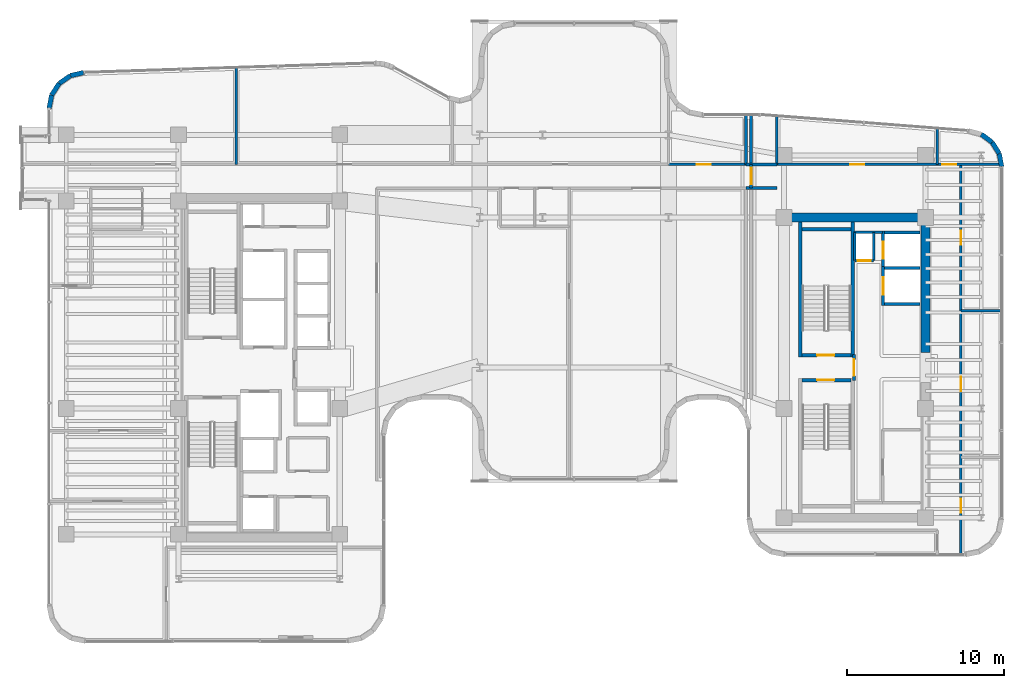
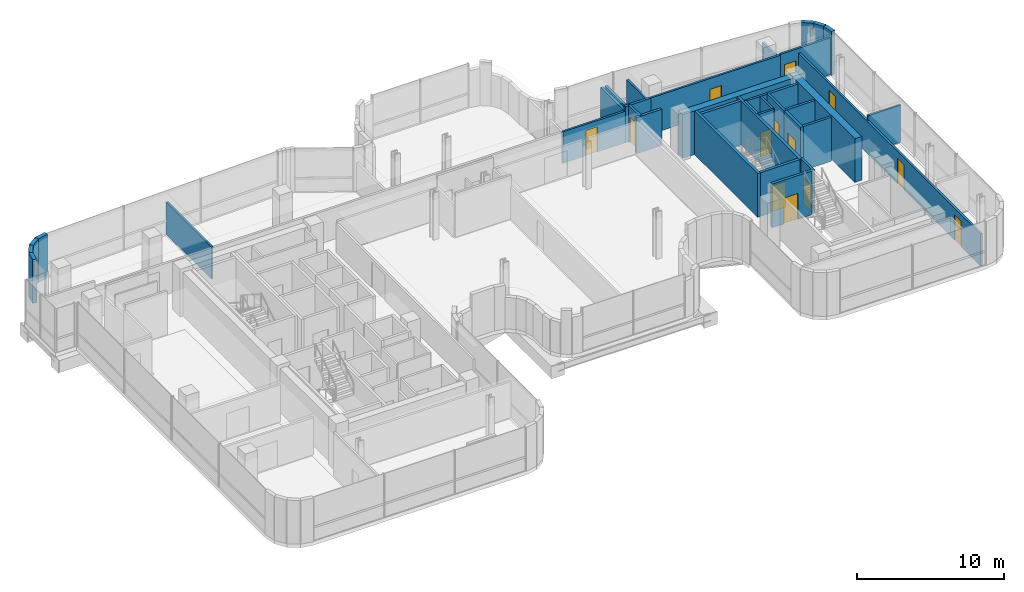
# One storey, part 30 of 37: 37 walls, 13 doors, 13 openings.
"""IFC4 building model written with IfcOpenShell, lengths in metres."""

from ifc_helpers import new_model, si_unit, direction, frame, frame_2d, origin, place, context, subcontext, project, spatial, rectangle, extrude, material, layer, layer_set, type_object, element, fill, save


model = new_model("IFC4")

# Units and contexts
model_context = context("Model", 3, precision=1e-05, world=origin(), true_north=direction((0.0, 1.0)))
body_context = subcontext(model_context, "Body", "Model", "MODEL_VIEW")
ifc_project = project(units=[si_unit("LENGTHUNIT", "METRE"), si_unit("AREAUNIT", "SQUARE_METRE"), si_unit("VOLUMEUNIT", "CUBIC_METRE"), si_unit("PLANEANGLEUNIT", "RADIAN"), si_unit("MASSUNIT", "GRAM", prefix="KILO")], contexts=[model_context])

# Site, building, storey
site_placement = place(None, origin())
site = spatial("IfcSite", under=ifc_project, at=site_placement, CompositionType="ELEMENT")
building_placement = place(site_placement, origin())
building = spatial("IfcBuilding", under=site, at=building_placement, Name="Valdorenza Pilgrim Sanctuary Tower", CompositionType="ELEMENT")
storey_placement = place(building_placement, frame((0.0, 0.0, 188.39990234375)))
storey = spatial("IfcBuildingStorey", under=building, at=storey_placement, Name="L48", CompositionType="ELEMENT", Elevation=188.39990234375)

# Wall, opening, door
ifc_material_1 = material(Name="Acoustic twin-stud gypsum partition", Category="gypsum")
ifc_layer_1 = layer(ifc_material_1, 0.159912109375, Name="Acoustic twin-stud gypsum partition")
ifc_layer_set_1 = layer_set([ifc_layer_1], Name="Acoustic twin-stud gypsum partition")
wall_type_1 = type_object("IfcWallType", Name="WAL-COR-160", PredefinedType="PARTITIONING", material=ifc_layer_set_1)
wall_1_placement = place(storey_placement, frame((20.35009765625, 6.800048828125, 0.0), z_axis=(0.0, 0.0, 1.0), x_axis=(1.0, 0.0, 0.0)))
wall_1 = element("IfcWall", 1, at=wall_1_placement, inside=storey, type_object=wall_type_1, Name="L48 Core B Riser South Wall", PredefinedType="PARTITIONING", context=body_context, shape_type="SweptSolid", body=[
    extrude(rectangle(XDim=1.199951171875, YDim=0.159912109375, at=frame_2d((0.60009765625, 0.0))), origin(), (0.0, 0.0, 1.0), 3.630126953125),
])
opening_1_placement = place(wall_1_placement, frame((0.175048828125, 0.0, 0.0)))
opening_1 = element("IfcOpeningElement", 2, at=opening_1_placement, cuts=wall_1, Name="Opening DR-RS1", PredefinedType="OPENING", context=body_context, shape_type="SweptSolid", body=[
    extrude(rectangle(XDim=0.85009765625, YDim=2.050048828125, at=frame_2d((0.425048828125, 1.02490234375))), frame((0.0, 0.0947265625, 0.0), z_axis=(0.0, -1.0, 0.0), x_axis=(1.0, 0.0, 0.0)), (0.0, 0.0, 1.0), 0.189697265625),
])
ifc_material_2 = material(Name="Painted galvanized steel", Category="steel")
door_type_1 = type_object("IfcDoorType", Name="DR-RSR-850", OperationType="NOTDEFINED", PredefinedType="DOOR", material=ifc_material_2)
door_1_placement = place(opening_1_placement, origin())
door_1 = element("IfcDoor", 3, at=door_1_placement, inside=storey, type_object=door_type_1, Name="L48 Core B Electrical Riser Door", OperationType="SINGLE_SWING_RIGHT", OverallHeight=2.050048828125, OverallWidth=0.85009765625, PredefinedType="DOOR", context=body_context, shape_type="SweptSolid", body=[
    extrude(rectangle(XDim=0.85009765625, YDim=2.050048828125, at=frame_2d((0.425048828125, 1.02490234375))), frame((0.0, 0.02490234375, 0.0), z_axis=(0.0, -1.0, 0.0), x_axis=(1.0, 0.0, 0.0)), (0.0, 0.0, 1.0), 0.050048828125),
])
fill(opening_1, door_1)

# Walls
for number, where, z_axis, x_axis, name in (
    (4, (21.550048828125, 6.800048828125, 0.0), (0.0, 0.0, 1.0), (0.0, 1.0, 0.0), "L48 Core B Riser East Wall"),
    (5, (20.35009765625, 6.800048828125, 0.0), (0.0, 0.0, 1.0), (0.0, 1.0, 0.0), "L48 Core B Riser West Wall"),
):
    element("IfcWall", number, at=place(storey_placement, frame(where, z_axis=z_axis, x_axis=x_axis)), inside=storey, type_object=wall_type_1, Name=name, PredefinedType="PARTITIONING", context=body_context, shape_type="SweptSolid", body=[
        extrude(rectangle(XDim=1.800048828125, YDim=0.159912109375, at=frame_2d((0.89990234375, 0.0))), origin(), (0.0, 0.0, 1.0), 3.630126953125),
    ])
wall_2_placement = place(storey_placement, frame((20.300048828125, 8.60009765625, 0.0), z_axis=(0.0, 0.0, 1.0), x_axis=(1.0, 0.0, 0.0)))
element("IfcWall", 6, at=wall_2_placement, inside=storey, type_object=wall_type_1, Name="L48 Core B Lift Hall North End Wall", PredefinedType="PARTITIONING", context=body_context, shape_type="SweptSolid", body=[
    extrude(rectangle(XDim=1.820068359375, YDim=0.159912109375, at=frame_2d((0.91015625, 0.0))), origin(), (0.0, 0.0, 1.0), 3.630126953125),
])

# Wall, opening, door
wall_3_placement = place(storey_placement, frame((8.5, 12.919921875, 0.0), z_axis=(0.0, 0.0, 1.0), x_axis=(1.0, 0.0, 0.0)))
wall_3 = element("IfcWall", 7, at=wall_3_placement, inside=storey, type_object=wall_type_1, Name="L48 North-East Prayer Salon Corridor Wall", PredefinedType="PARTITIONING", context=body_context, shape_type="SweptSolid", body=[
    extrude(rectangle(XDim=4.919921875, YDim=0.159912109375, at=frame_2d((2.4599609375, 0.0))), origin(), (0.0, 0.0, 1.0), 2.614990234375),
])
opening_2_placement = place(wall_3_placement, frame((1.800048828125, 0.0, 0.0)))
opening_2 = element("IfcOpeningElement", 8, at=opening_2_placement, cuts=wall_3, Name="Opening DR-RM1", PredefinedType="OPENING", context=body_context, shape_type="SweptSolid", body=[
    extrude(rectangle(XDim=0.89990234375, YDim=2.10009765625, at=frame_2d((0.449951171875, 1.050048828125))), frame((0.0, 0.0947265625, 0.0), z_axis=(0.0, -1.0, 0.0), x_axis=(1.0, 0.0, 0.0)), (0.0, 0.0, 1.0), 0.189697265625),
])
ifc_material_3 = material(Name="Solid-core European oak timber", Category="wood")
door_type_2 = type_object("IfcDoorType", Name="DR-ROOM-900", OperationType="NOTDEFINED", PredefinedType="DOOR", material=ifc_material_3)
door_2_placement = place(opening_2_placement, origin())
door_2 = element("IfcDoor", 9, at=door_2_placement, inside=storey, type_object=door_type_2, Name="L48 North-East Contemplation Salon Door", OperationType="SINGLE_SWING_RIGHT", OverallHeight=2.10009765625, OverallWidth=0.89990234375, PredefinedType="DOOR", context=body_context, shape_type="SweptSolid", body=[
    extrude(rectangle(XDim=0.89990234375, YDim=2.10009765625, at=frame_2d((0.449951171875, 1.050048828125))), frame((0.0, 0.02490234375, 0.0), z_axis=(0.0, -1.0, 0.0), x_axis=(1.0, 0.0, 0.0)), (0.0, 0.0, 1.0), 0.050048828125),
])
fill(opening_2, door_2)

wall_4_placement = place(storey_placement, frame((15.39990234375, 12.919921875, 0.0), z_axis=(0.0, 0.0, 1.0), x_axis=(1.0, 0.0, 0.0)))
wall_4 = element("IfcWall", 10, at=wall_4_placement, inside=storey, type_object=wall_type_1, Name="L48 Wing B North Corridor Wall", PredefinedType="PARTITIONING", context=body_context, shape_type="SweptSolid", body=[
    extrude(rectangle(XDim=10.2001953125, YDim=0.159912109375, at=frame_2d((5.10009765625, 0.0))), origin(), (0.0, 0.0, 1.0), 3.004150390625),
])
opening_3_placement = place(wall_4_placement, frame((4.64990234375, 0.0, 0.0)))
opening_3 = element("IfcOpeningElement", 11, at=opening_3_placement, cuts=wall_4, Name="Opening DR-RM1", PredefinedType="OPENING", context=body_context, shape_type="SweptSolid", body=[
    extrude(rectangle(XDim=0.89990234375, YDim=2.10009765625, at=frame_2d((0.449951171875, 1.050048828125))), frame((0.0, 0.0947265625, 0.0), z_axis=(0.0, -1.0, 0.0), x_axis=(1.0, 0.0, 0.0)), (0.0, 0.0, 1.0), 0.189697265625),
])
door_3_placement = place(opening_3_placement, frame((0.89990234375, 0.0, 0.0), z_axis=(0.0, 0.0, 1.0), x_axis=(-1.0, 0.0, 0.0)))
door_3 = element("IfcDoor", 12, at=door_3_placement, inside=storey, type_object=door_type_2, Name="L48 Curator Research Office L48-BN1 Door", OperationType="SINGLE_SWING_LEFT", OverallHeight=2.10009765625, OverallWidth=0.89990234375, PredefinedType="DOOR", context=body_context, shape_type="SweptSolid", body=[
    extrude(rectangle(XDim=0.89990234375, YDim=2.10009765625, at=frame_2d((0.449951171875, 1.050048828125))), frame((0.0, 0.02490234375, 0.0), z_axis=(0.0, -1.0, 0.0), x_axis=(1.0, 0.0, 0.0)), (0.0, 0.0, 1.0), 0.050048828125),
])
fill(opening_3, door_3)

# Walls
wall_5_placement = place(storey_placement, frame((15.39990234375, 12.919921875, 0.0), z_axis=(0.0, 0.0, 1.0), x_axis=(0.0, 1.0, 0.0)))
element("IfcWall", 13, at=wall_5_placement, inside=storey, type_object=wall_type_1, Name="L48 Wing B North West Wall", PredefinedType="PARTITIONING", context=body_context, shape_type="SweptSolid", body=[
    extrude(rectangle(XDim=3.08447265625, YDim=0.159912109375, at=frame_2d((1.542236328125, 0.0))), origin(), (0.0, 0.0, 1.0), 2.6650390625),
])
wall_6_placement = place(storey_placement, frame((25.60009765625, 12.919921875, 0.0), z_axis=(0.0, 0.0, 1.0), x_axis=(0.0, 1.0, 0.0)))
element("IfcWall", 14, at=wall_6_placement, inside=storey, type_object=wall_type_1, Name="L48 Wing B North East Wall", PredefinedType="PARTITIONING", context=body_context, shape_type="SweptSolid", body=[
    extrude(rectangle(XDim=2.294921875, YDim=0.159912109375, at=frame_2d((1.1474609375, 0.0))), origin(), (0.0, 0.0, 1.0), 2.6650390625),
])

# Wall, openings, doors
wall_7_placement = place(storey_placement, frame((27.10009765625, -11.889892578125, 0.0), z_axis=(0.0, 0.0, 1.0), x_axis=(0.0, 1.0, 0.0)))
wall_7 = element("IfcWall", 15, at=wall_7_placement, inside=storey, type_object=wall_type_1, Name="L48 Wing B East Corridor Wall", PredefinedType="PARTITIONING", context=body_context, shape_type="SweptSolid", body=[
    extrude(rectangle(XDim=24.809814453125, YDim=0.159912109375, at=frame_2d((12.40478515625, 0.0))), origin(), (0.0, 0.0, 1.0), 2.6650390625),
])
opening_4_placement = place(wall_7_placement, frame((2.64794921875, 0.0, 0.0)))
opening_4 = element("IfcOpeningElement", 16, at=opening_4_placement, cuts=wall_7, Name="Opening DR-RM1", PredefinedType="OPENING", context=body_context, shape_type="SweptSolid", body=[
    extrude(rectangle(XDim=0.89990234375, YDim=2.10009765625, at=frame_2d((0.449951171875, 1.050048828125))), frame((0.0, 0.0947265625, 0.0), z_axis=(0.0, -1.0, 0.0), x_axis=(1.0, 0.0, 0.0)), (0.0, 0.0, 1.0), 0.189697265625),
])
opening_5_placement = place(wall_7_placement, frame((10.39990234375, 0.0, 0.0)))
opening_5 = element("IfcOpeningElement", 17, at=opening_5_placement, cuts=wall_7, Name="Opening DR-RM1", PredefinedType="OPENING", context=body_context, shape_type="SweptSolid", body=[
    extrude(rectangle(XDim=0.89990234375, YDim=2.10009765625, at=frame_2d((0.449951171875, 1.050048828125))), frame((0.0, 0.0947265625, 0.0), z_axis=(0.0, -1.0, 0.0), x_axis=(1.0, 0.0, 0.0)), (0.0, 0.0, 1.0), 0.189697265625),
])
opening_6_placement = place(wall_7_placement, frame((19.70703125, 0.0, 0.0)))
opening_6 = element("IfcOpeningElement", 18, at=opening_6_placement, cuts=wall_7, Name="Opening DR-RM1", PredefinedType="OPENING", context=body_context, shape_type="SweptSolid", body=[
    extrude(rectangle(XDim=0.89990234375, YDim=2.10009765625, at=frame_2d((0.449951171875, 1.050048828125))), frame((0.0, 0.0947265625, 0.0), z_axis=(0.0, -1.0, 0.0), x_axis=(1.0, 0.0, 0.0)), (0.0, 0.0, 1.0), 0.189697265625),
])
door_4_placement = place(opening_4_placement, origin())
door_4 = element("IfcDoor", 19, at=door_4_placement, inside=storey, type_object=door_type_2, Name="L48 Private Banquet Dining Room L48-EB1 Door", OperationType="SINGLE_SWING_RIGHT", OverallHeight=2.10009765625, OverallWidth=0.89990234375, PredefinedType="DOOR", context=body_context, shape_type="SweptSolid", body=[
    extrude(rectangle(XDim=0.89990234375, YDim=2.10009765625, at=frame_2d((0.449951171875, 1.050048828125))), frame((0.0, 0.02490234375, 0.0), z_axis=(0.0, -1.0, 0.0), x_axis=(1.0, 0.0, 0.0)), (0.0, 0.0, 1.0), 0.050048828125),
])
fill(opening_4, door_4)
door_5_placement = place(opening_5_placement, frame((0.89990234375, 0.0, 0.0), z_axis=(0.0, 0.0, 1.0), x_axis=(-1.0, 0.0, 0.0)))
door_5 = element("IfcDoor", 20, at=door_5_placement, inside=storey, type_object=door_type_2, Name="L48 Private Banquet Dining Room L48-EB2 Door", OperationType="SINGLE_SWING_LEFT", OverallHeight=2.10009765625, OverallWidth=0.89990234375, PredefinedType="DOOR", context=body_context, shape_type="SweptSolid", body=[
    extrude(rectangle(XDim=0.89990234375, YDim=2.10009765625, at=frame_2d((0.449951171875, 1.050048828125))), frame((0.0, 0.02490234375, 0.0), z_axis=(0.0, -1.0, 0.0), x_axis=(1.0, 0.0, 0.0)), (0.0, 0.0, 1.0), 0.050048828125),
])
fill(opening_5, door_5)
door_6_placement = place(opening_6_placement, origin())
door_6 = element("IfcDoor", 21, at=door_6_placement, inside=storey, type_object=door_type_2, Name="L48 Private Banquet Dining Room L48-EB3 Door", OperationType="SINGLE_SWING_RIGHT", OverallHeight=2.10009765625, OverallWidth=0.89990234375, PredefinedType="DOOR", context=body_context, shape_type="SweptSolid", body=[
    extrude(rectangle(XDim=0.89990234375, YDim=2.10009765625, at=frame_2d((0.449951171875, 1.050048828125))), frame((0.0, 0.02490234375, 0.0), z_axis=(0.0, -1.0, 0.0), x_axis=(1.0, 0.0, 0.0)), (0.0, 0.0, 1.0), 0.050048828125),
])
fill(opening_6, door_6)

# Wall, opening, door
wall_8_placement = place(storey_placement, frame((25.60009765625, 12.919921875, 0.0), z_axis=(0.0, 0.0, 1.0), x_axis=(1.0, 0.0, 0.0)))
wall_8 = element("IfcWall", 22, at=wall_8_placement, inside=storey, type_object=wall_type_1, Name="L48 East Wing NE Corner South Wall", PredefinedType="PARTITIONING", context=body_context, shape_type="SweptSolid", body=[
    extrude(rectangle(XDim=3.93408203125, YDim=0.159912109375, at=frame_2d((1.967041015625, 0.0))), origin(), (0.0, 0.0, 1.0), 3.076171875),
])
opening_7_placement = place(wall_8_placement, frame((0.300048828125, 0.0, 0.0)))
opening_7 = element("IfcOpeningElement", 23, at=opening_7_placement, cuts=wall_8, Name="Opening DR-RM1", PredefinedType="OPENING", context=body_context, shape_type="SweptSolid", body=[
    extrude(rectangle(XDim=0.89990234375, YDim=2.10009765625, at=frame_2d((0.449951171875, 1.050048828125))), frame((0.0, 0.0947265625, 0.0), z_axis=(0.0, -1.0, 0.0), x_axis=(1.0, 0.0, 0.0)), (0.0, 0.0, 1.0), 0.189697265625),
])
door_7_placement = place(opening_7_placement, origin())
door_7 = element("IfcDoor", 24, at=door_7_placement, inside=storey, type_object=door_type_2, Name="L48 East North Alcove Office L48 Door", OperationType="SINGLE_SWING_LEFT", OverallHeight=2.10009765625, OverallWidth=0.89990234375, PredefinedType="DOOR", context=body_context, shape_type="SweptSolid", body=[
    extrude(rectangle(XDim=0.89990234375, YDim=2.10009765625, at=frame_2d((0.449951171875, 1.050048828125))), frame((0.0, 0.02490234375, 0.0), z_axis=(0.0, -1.0, 0.0), x_axis=(1.0, 0.0, 0.0)), (0.0, 0.0, 1.0), 0.050048828125),
])
fill(opening_7, door_7)

# Walls
ifc_material_4 = material(Name="Concrete C50/60", Category="concrete")
ifc_layer_2 = layer(ifc_material_4, 0.550048828125, Name="Concrete C50/60")
ifc_layer_set_2 = layer_set([ifc_layer_2], Name="Concrete C50/60")
wall_type_2 = type_object("IfcWallType", Name="WAL-COR-550", PredefinedType="SHEAR", material=ifc_layer_set_2)
wall_9_placement = place(storey_placement, frame((24.85009765625, 0.949951171875, 0.0), z_axis=(0.0, 0.0, 1.0), x_axis=(0.0, 1.0, 0.0)))
element("IfcWall", 25, at=wall_9_placement, inside=storey, type_object=wall_type_2, Name="L48 Split Core B Shear Wall EN", PredefinedType="SHEAR", context=body_context, shape_type="SweptSolid", body=[
    extrude(rectangle(XDim=8.875, YDim=0.550048828125, at=frame_2d((4.4375, 0.0))), origin(), (0.0, 0.0, 1.0), 3.630126953125),
])
wall_10_placement = place(storey_placement, frame((15.85009765625, 9.550048828125, 0.0), z_axis=(0.0, 0.0, 1.0), x_axis=(1.0, 0.0, 0.0)))
element("IfcWall", 26, at=wall_10_placement, inside=storey, type_object=wall_type_2, Name="L48 Split Core B Shear Wall N", PredefinedType="SHEAR", context=body_context, shape_type="SweptSolid", body=[
    extrude(rectangle(XDim=9.0, YDim=0.550048828125, at=frame_2d((4.5, 0.0))), origin(), (0.0, 0.0, 1.0), 3.630126953125),
])
ifc_material_5 = material(Name="Honed travertine limestone", Category="masonry")
ifc_layer_3 = layer(ifc_material_5, 0.300048828125, Name="Honed travertine limestone")
ifc_layer_set_3 = layer_set([ifc_layer_3], Name="Honed travertine limestone")
wall_type_3 = type_object("IfcWallType", Name="WAL-EXT-300", PredefinedType="SOLIDWALL", material=ifc_layer_set_3)
wall_11_placement = place(storey_placement, frame((-30.889892578125, 16.46630859375, 0.0), z_axis=(0.0, 0.0, 1.0), x_axis=(0.191128020887, 0.981565117367, 0.0)))
element("IfcWall", 27, at=wall_11_placement, inside=storey, type_object=wall_type_3, Name="L48 Rounded Wind-Corner Stone Pier 2", PredefinedType="SOLIDWALL", context=body_context, shape_type="SweptSolid", body=[
    extrude(rectangle(XDim=0.88525390625, YDim=0.300048828125, at=frame_2d((0.442626953125, 0.0))), origin(), (0.0, 0.0, 1.0), 3.630126953125),
])
wall_12_placement = place(storey_placement, frame((-30.720703125, 17.335205078125, 0.0), z_axis=(0.0, 0.0, 1.0), x_axis=(0.545322000684, 0.838226649284, 0.0)))
element("IfcWall", 28, at=wall_12_placement, inside=storey, type_object=wall_type_3, Name="L48 Rounded Wind-Corner Stone Pier 3", PredefinedType="SOLIDWALL", context=body_context, shape_type="SweptSolid", body=[
    extrude(rectangle(XDim=0.874267578125, YDim=0.300048828125, at=frame_2d((0.43701171875, 0.0))), origin(), (0.0, 0.0, 1.0), 3.630126953125),
])
wall_13_placement = place(storey_placement, frame((-30.243896484375, 18.068115234375, 0.0), z_axis=(0.0, 0.0, 1.0), x_axis=(0.820005059444, 0.572356272339, 0.0)))
element("IfcWall", 29, at=wall_13_placement, inside=storey, type_object=wall_type_3, Name="L48 Rounded Wind-Corner Stone Pier 4", PredefinedType="SOLIDWALL", context=body_context, shape_type="SweptSolid", body=[
    extrude(rectangle(XDim=0.87451171875, YDim=0.300048828125, at=frame_2d((0.437255859375, 0.0))), origin(), (0.0, 0.0, 1.0), 3.630126953125),
])
wall_14_placement = place(storey_placement, frame((-29.52685546875, 18.568603515625, 0.0), z_axis=(0.0, 0.0, 1.0), x_axis=(0.974798570829, 0.223086858218, 0.0)))
element("IfcWall", 30, at=wall_14_placement, inside=storey, type_object=wall_type_3, Name="L48 Rounded Wind-Corner Stone Pier 5", PredefinedType="SOLIDWALL", context=body_context, shape_type="SweptSolid", body=[
    extrude(rectangle(XDim=0.88525390625, YDim=0.300048828125, at=frame_2d((0.442626953125, 0.0))), origin(), (0.0, 0.0, 1.0), 3.630126953125),
])
wall_15_placement = place(storey_placement, frame((28.396484375, 14.838134765625, 0.0), z_axis=(0.0, 0.0, 1.0), x_axis=(0.803847397988, -0.594835574548, 0.0)))
element("IfcWall", 31, at=wall_15_placement, inside=storey, type_object=wall_type_3, Name="L48 Rounded Wind-Corner Stone Pier 34", PredefinedType="SOLIDWALL", context=body_context, shape_type="SweptSolid", body=[
    extrude(rectangle(XDim=0.84912109375, YDim=0.300048828125, at=frame_2d((0.424560546875, 0.0))), origin(), (0.0, 0.0, 1.0), 3.630126953125),
])
wall_16_placement = place(storey_placement, frame((29.0791015625, 14.3330078125, 0.0), z_axis=(0.0, 0.0, 1.0), x_axis=(0.53134147342, -0.847157741288, 0.0)))
element("IfcWall", 32, at=wall_16_placement, inside=storey, type_object=wall_type_3, Name="L48 Rounded Wind-Corner Stone Pier 35", PredefinedType="SOLIDWALL", context=body_context, shape_type="SweptSolid", body=[
    extrude(rectangle(XDim=0.849609375, YDim=0.300048828125, at=frame_2d((0.4248046875, 0.0))), origin(), (0.0, 0.0, 1.0), 3.630126953125),
])
wall_17_placement = place(storey_placement, frame((29.530517578125, 13.61328125, 0.0), z_axis=(0.0, 0.0, 1.0), x_axis=(0.185402686284, -0.982662629756, 0.0)))
element("IfcWall", 33, at=wall_17_placement, inside=storey, type_object=wall_type_3, Name="L48 Rounded Wind-Corner Stone Pier 36", PredefinedType="SOLIDWALL", context=body_context, shape_type="SweptSolid", body=[
    extrude(rectangle(XDim=0.85986328125, YDim=0.300048828125, at=frame_2d((0.429931640625, 0.0))), origin(), (0.0, 0.0, 1.0), 3.630126953125),
])

# Wall, opening, door
ifc_material_6 = material(Name="Gypsum shaftwall partition", Category="gypsum")
ifc_layer_4 = layer(ifc_material_6, 0.199951171875, Name="Gypsum shaftwall partition")
ifc_layer_set_4 = layer_set([ifc_layer_4], Name="Gypsum shaftwall partition")
wall_type_4 = type_object("IfcWallType", Name="WAL-FFL-200", PredefinedType="PARTITIONING", material=ifc_layer_set_4)
wall_18_placement = place(storey_placement, frame((20.300048828125, -0.820068359375, 0.0), z_axis=(0.0, 0.0, 1.0), x_axis=(0.0, 1.0, 0.0)))
wall_18 = element("IfcWall", 34, at=wall_18_placement, inside=storey, type_object=wall_type_4, Name="L48 Core B Firefighting Lobby East Wall", PredefinedType="PARTITIONING", context=body_context, shape_type="SweptSolid", body=[
    extrude(rectangle(XDim=1.64013671875, YDim=0.199951171875, at=frame_2d((0.820068359375, 0.0))), origin(), (0.0, 0.0, 1.0), 3.630126953125),
])
opening_8_placement = place(wall_18_placement, frame((0.294921875, 0.0, 0.0)))
opening_8 = element("IfcOpeningElement", 35, at=opening_8_placement, cuts=wall_18, Name="Opening DR-FL1", PredefinedType="OPENING", context=body_context, shape_type="SweptSolid", body=[
    extrude(rectangle(XDim=1.050048828125, YDim=2.14990234375, at=frame_2d((0.52490234375, 1.074951171875))), frame((0.0, 0.11474609375, 0.0), z_axis=(0.0, -1.0, 0.0), x_axis=(1.0, 0.0, 0.0)), (0.0, 0.0, 1.0), 0.229736328125),
])
door_type_3 = type_object("IfcDoorType", Name="DR-FFL-1050", OperationType="NOTDEFINED", PredefinedType="DOOR", material=ifc_material_2)
door_8_placement = place(opening_8_placement, frame((1.050048828125, 0.0, 0.0), z_axis=(0.0, 0.0, 1.0), x_axis=(-1.0, 0.0, 0.0)))
door_8 = element("IfcDoor", 36, at=door_8_placement, inside=storey, type_object=door_type_3, Name="L48 Core B Firefighting Lobby Door", OperationType="SINGLE_SWING_LEFT", OverallHeight=2.14990234375, OverallWidth=1.050048828125, PredefinedType="DOOR", context=body_context, shape_type="SweptSolid", body=[
    extrude(rectangle(XDim=1.050048828125, YDim=2.14990234375, at=frame_2d((0.52490234375, 1.074951171875))), frame((0.0, 0.02490234375, 0.0), z_axis=(0.0, -1.0, 0.0), x_axis=(1.0, 0.0, 0.0)), (0.0, 0.0, 1.0), 0.050048828125),
])
fill(opening_8, door_8)

# Walls
for number, where, z_axis, x_axis, name in (
    (37, (13.419921875, 12.919921875, 0.0), (0.0, 0.0, 1.0), (0.0, 1.0, 0.0), "L48 North-East Joint West Wall"),
    (38, (13.760009765625, 12.919921875, 0.0), (0.0, 0.0, 1.0), (0.0, 1.0, 0.0), "L48 North-East Joint East Wall"),
):
    element("IfcWall", number, at=place(storey_placement, frame(where, z_axis=z_axis, x_axis=x_axis)), inside=storey, type_object=wall_type_4, Name=name, PredefinedType="PARTITIONING", context=body_context, shape_type="SweptSolid", body=[
        extrude(rectangle(XDim=3.170166015625, YDim=0.199951171875, at=frame_2d((1.5849609375, 0.0))), origin(), (0.0, 0.0, 1.0), 2.6650390625),
    ])
for number, where, z_axis, x_axis, name in (
    (39, (13.419921875, 12.919921875, 0.0), (0.0, 0.0, 1.0), (1.0, 0.0, 0.0), "L48 L48 Bridge Joint Corridor North Wall"),
    (40, (13.419921875, 11.419921875, 0.0), (0.0, 0.0, 1.0), (1.0, 0.0, 0.0), "L48 L48 Bridge Joint Corridor South Wall"),
):
    element("IfcWall", number, at=place(storey_placement, frame(where, z_axis=z_axis, x_axis=x_axis)), inside=storey, type_object=wall_type_4, Name=name, PredefinedType="PARTITIONING", context=body_context, shape_type="SweptSolid", body=[
        extrude(rectangle(XDim=1.97998046875, YDim=0.199951171875, at=frame_2d((0.989990234375, 0.0))), origin(), (0.0, 0.0, 1.0), 3.004150390625),
    ])

# Wall, opening, door
wall_19_placement = place(storey_placement, frame((13.760009765625, 11.419921875, 0.0), z_axis=(0.0, 0.0, 1.0), x_axis=(0.0, 1.0, 0.0)))
wall_19 = element("IfcWall", 41, at=wall_19_placement, inside=storey, type_object=wall_type_4, Name="L48 L48 Bridge Joint Threshold Fire Wall", PredefinedType="PARTITIONING", context=body_context, shape_type="SweptSolid", body=[
    extrude(rectangle(XDim=1.5, YDim=0.199951171875, at=frame_2d((0.75, 0.0))), origin(), (0.0, 0.0, 1.0), 3.004150390625),
])
opening_9_placement = place(wall_19_placement, frame((0.22509765625, 0.0, 0.0)))
opening_9 = element("IfcOpeningElement", 42, at=opening_9_placement, cuts=wall_19, Name="Opening DR-FL1", PredefinedType="OPENING", context=body_context, shape_type="SweptSolid", body=[
    extrude(rectangle(XDim=1.050048828125, YDim=2.14990234375, at=frame_2d((0.52490234375, 1.074951171875))), frame((0.0, 0.11474609375, 0.0), z_axis=(0.0, -1.0, 0.0), x_axis=(1.0, 0.0, 0.0)), (0.0, 0.0, 1.0), 0.229736328125),
])
door_9_placement = place(opening_9_placement, origin())
door_9 = element("IfcDoor", 43, at=door_9_placement, inside=storey, type_object=door_type_3, Name="L48 L48 Bridge Movement-Joint Threshold Door", OperationType="SINGLE_SWING_LEFT", OverallHeight=2.14990234375, OverallWidth=1.050048828125, PredefinedType="DOOR", context=body_context, shape_type="SweptSolid", body=[
    extrude(rectangle(XDim=1.050048828125, YDim=2.14990234375, at=frame_2d((0.52490234375, 1.074951171875))), frame((0.0, 0.02490234375, 0.0), z_axis=(0.0, -1.0, 0.0), x_axis=(1.0, 0.0, 0.0)), (0.0, 0.0, 1.0), 0.050048828125),
])
fill(opening_9, door_9)

ifc_material_7 = material(Name="Autoclaved aerated concrete blockwork", Category="masonry")
ifc_layer_5 = layer(ifc_material_7, 0.199951171875, Name="Autoclaved aerated concrete blockwork")
ifc_layer_set_5 = layer_set([ifc_layer_5], Name="Autoclaved aerated concrete blockwork")
wall_type_5 = type_object("IfcWallType", Name="WAL-SHF-200", PredefinedType="MOVABLE", material=ifc_layer_set_5)
wall_20_placement = place(storey_placement, frame((22.14990234375, 3.949951171875, 0.0), z_axis=(0.0, 0.0, 1.0), x_axis=(0.0, 1.0, 0.0)))
wall_20 = element("IfcWall", 44, at=wall_20_placement, inside=storey, type_object=wall_type_5, Name="L48 Lift PL-07 Hoistway Wall West", PredefinedType="MOVABLE", context=body_context, shape_type="SweptSolid", body=[
    extrude(rectangle(XDim=2.47509765625, YDim=0.199951171875, at=frame_2d((1.237548828125, 0.0))), origin(), (0.0, 0.0, 1.0), 3.630126953125),
])
opening_10_placement = place(wall_20_placement, frame((0.6875, 0.0, 0.0)))
opening_10 = element("IfcOpeningElement", 45, at=opening_10_placement, cuts=wall_20, Name="Opening LD-01", PredefinedType="OPENING", context=body_context, shape_type="SweptSolid", body=[
    extrude(rectangle(XDim=1.10009765625, YDim=2.10009765625, at=frame_2d((0.550048828125, 1.050048828125))), frame((0.0, 0.11474609375, 0.0), z_axis=(0.0, -1.0, 0.0), x_axis=(1.0, 0.0, 0.0)), (0.0, 0.0, 1.0), 0.229736328125),
])
ifc_material_8 = material(Name="Brushed stainless steel Grade 316", Category="steel")
door_type_4 = type_object("IfcDoorType", Name="DR-LFT-1100", OperationType="DOUBLE_DOOR_SLIDING", PredefinedType="DOOR", material=ifc_material_8)
door_10_placement = place(opening_10_placement, origin())
door_10 = element("IfcDoor", 46, at=door_10_placement, inside=storey, type_object=door_type_4, Name="L48 Lift PL-07 Sliding Landing Door", OperationType="DOUBLE_DOOR_SLIDING", OverallHeight=2.10009765625, OverallWidth=1.10009765625, PredefinedType="DOOR", context=body_context, shape_type="SweptSolid", body=[
    extrude(rectangle(XDim=1.10009765625, YDim=2.10009765625, at=frame_2d((0.550048828125, 1.050048828125))), frame((0.0, 0.02490234375, 0.0), z_axis=(0.0, -1.0, 0.0), x_axis=(1.0, 0.0, 0.0)), (0.0, 0.0, 1.0), 0.050048828125),
])
fill(opening_10, door_10)

# Walls
for number, where, z_axis, x_axis, name in (
    (47, (22.25, 4.050048828125, 0.0), (0.0, 0.0, 1.0), (1.0, 0.0, 0.0), "L48 Lift PL-07 Hoistway Wall South"),
    (48, (22.25, 6.324951171875, 0.0), (0.0, 0.0, 1.0), (1.0, 0.0, 0.0), "L48 Lift PL-07 Hoistway Wall North"),
):
    element("IfcWall", number, at=place(storey_placement, frame(where, z_axis=z_axis, x_axis=x_axis)), inside=storey, type_object=wall_type_5, Name=name, PredefinedType="MOVABLE", context=body_context, shape_type="SweptSolid", body=[
        extrude(rectangle(XDim=2.22998046875, YDim=0.199951171875, at=frame_2d((1.114990234375, 0.0))), origin(), (0.0, 0.0, 1.0), 3.630126953125),
    ])

# Wall, opening, door
wall_21_placement = place(storey_placement, frame((22.14990234375, 6.22509765625, 0.0), z_axis=(0.0, 0.0, 1.0), x_axis=(0.0, 1.0, 0.0)))
wall_21 = element("IfcWall", 49, at=wall_21_placement, inside=storey, type_object=wall_type_5, Name="L48 Lift PL-08 Hoistway Wall West", PredefinedType="MOVABLE", context=body_context, shape_type="SweptSolid", body=[
    extrude(rectangle(XDim=2.474853515625, YDim=0.199951171875, at=frame_2d((1.2373046875, 0.0))), origin(), (0.0, 0.0, 1.0), 3.630126953125),
])
opening_11_placement = place(wall_21_placement, frame((0.6875, 0.0, 0.0)))
opening_11 = element("IfcOpeningElement", 50, at=opening_11_placement, cuts=wall_21, Name="Opening LD-01", PredefinedType="OPENING", context=body_context, shape_type="SweptSolid", body=[
    extrude(rectangle(XDim=1.10009765625, YDim=2.10009765625, at=frame_2d((0.550048828125, 1.050048828125))), frame((0.0, 0.11474609375, 0.0), z_axis=(0.0, -1.0, 0.0), x_axis=(1.0, 0.0, 0.0)), (0.0, 0.0, 1.0), 0.229736328125),
])
door_11_placement = place(opening_11_placement, origin())
door_11 = element("IfcDoor", 51, at=door_11_placement, inside=storey, type_object=door_type_4, Name="L48 Lift PL-08 Sliding Landing Door", OperationType="DOUBLE_DOOR_SLIDING", OverallHeight=2.10009765625, OverallWidth=1.10009765625, PredefinedType="DOOR", context=body_context, shape_type="SweptSolid", body=[
    extrude(rectangle(XDim=1.10009765625, YDim=2.10009765625, at=frame_2d((0.550048828125, 1.050048828125))), frame((0.0, 0.02490234375, 0.0), z_axis=(0.0, -1.0, 0.0), x_axis=(1.0, 0.0, 0.0)), (0.0, 0.0, 1.0), 0.050048828125),
])
fill(opening_11, door_11)

# Walls
wall_22_placement = place(storey_placement, frame((22.25, 8.60009765625, 0.0), z_axis=(0.0, 0.0, 1.0), x_axis=(1.0, 0.0, 0.0)))
element("IfcWall", 52, at=wall_22_placement, inside=storey, type_object=wall_type_5, Name="L48 Lift PL-08 Hoistway Wall North", PredefinedType="MOVABLE", context=body_context, shape_type="SweptSolid", body=[
    extrude(rectangle(XDim=2.22998046875, YDim=0.199951171875, at=frame_2d((1.114990234375, 0.0))), origin(), (0.0, 0.0, 1.0), 3.630126953125),
])
ifc_material_9 = material(Name="Concrete C40/50", Category="concrete")
ifc_layer_6 = layer(ifc_material_9, 0.219970703125, Name="Concrete C40/50")
ifc_layer_set_6 = layer_set([ifc_layer_6], Name="Concrete C40/50")
wall_type_6 = type_object("IfcWallType", Name="WAL-STR-SHF-220", PredefinedType="SHEAR", material=ifc_layer_set_6)
for number, where, z_axis, x_axis, name in (
    (53, (16.889892578125, 0.679931640625, 0.0), (0.0, 0.0, 1.0), (0.0, 1.0, 0.0), "L48 ST-B1 Structural Stairwell Wall W"),
    (54, (20.219970703125, 0.679931640625, 0.0), (0.0, 0.0, 1.0), (0.0, 1.0, 0.0), "L48 ST-B1 Structural Stairwell Wall E"),
):
    element("IfcWall", number, at=place(storey_placement, frame(where, z_axis=z_axis, x_axis=x_axis)), inside=storey, type_object=wall_type_6, Name=name, PredefinedType="SHEAR", context=body_context, shape_type="SweptSolid", body=[
        extrude(rectangle(XDim=8.594970703125, YDim=0.219970703125, at=frame_2d((4.29736328125, 0.0))), origin(), (0.0, 0.0, 1.0), 3.630126953125),
    ])

# Wall, opening, door
wall_23_placement = place(storey_placement, frame((17.0, 0.7900390625, 0.0), z_axis=(0.0, 0.0, 1.0), x_axis=(1.0, 0.0, 0.0)))
wall_23 = element("IfcWall", 55, at=wall_23_placement, inside=storey, type_object=wall_type_6, Name="L48 ST-B1 Structural Stairwell Wall S", PredefinedType="SHEAR", context=body_context, shape_type="SweptSolid", body=[
    extrude(rectangle(XDim=3.110107421875, YDim=0.219970703125, at=frame_2d((1.55517578125, 0.0))), origin(), (0.0, 0.0, 1.0), 3.630126953125),
])
opening_12_placement = place(wall_23_placement, frame((0.949951171875, 0.0, 0.0)))
opening_12 = element("IfcOpeningElement", 56, at=opening_12_placement, cuts=wall_23, Name="Opening DR-ST1", PredefinedType="OPENING", context=body_context, shape_type="SweptSolid", body=[
    extrude(rectangle(XDim=1.10009765625, YDim=2.14990234375, at=frame_2d((0.550048828125, 1.074951171875))), frame((0.0, 0.125, 0.0), z_axis=(0.0, -1.0, 0.0), x_axis=(1.0, 0.0, 0.0)), (0.0, 0.0, 1.0), 0.249755859375),
])
door_type_5 = type_object("IfcDoorType", Name="DR-STAIR-1100", OperationType="NOTDEFINED", PredefinedType="DOOR", material=ifc_material_2)
door_12_placement = place(opening_12_placement, origin())
door_12 = element("IfcDoor", 57, at=door_12_placement, inside=storey, type_object=door_type_5, Name="L48 Exit Stair ST-B1 Door", OperationType="SINGLE_SWING_RIGHT", OverallHeight=2.14990234375, OverallWidth=1.10009765625, PredefinedType="DOOR", context=body_context, shape_type="SweptSolid", body=[
    extrude(rectangle(XDim=1.10009765625, YDim=2.14990234375, at=frame_2d((0.550048828125, 1.074951171875))), frame((0.0, 0.02490234375, 0.0), z_axis=(0.0, -1.0, 0.0), x_axis=(1.0, 0.0, 0.0)), (0.0, 0.0, 1.0), 0.050048828125),
])
fill(opening_12, door_12)

# Wall
wall_24_placement = place(storey_placement, frame((17.0, 8.81005859375, 0.0), z_axis=(0.0, 0.0, 1.0), x_axis=(1.0, 0.0, 0.0)))
element("IfcWall", 58, at=wall_24_placement, inside=storey, type_object=wall_type_6, Name="L48 ST-B1 Structural Stairwell Wall N", PredefinedType="SHEAR", context=body_context, shape_type="SweptSolid", body=[
    extrude(rectangle(XDim=3.110107421875, YDim=0.219970703125, at=frame_2d((1.55517578125, 0.0))), origin(), (0.0, 0.0, 1.0), 3.630126953125),
])

# Wall, opening, door
wall_25_placement = place(storey_placement, frame((17.0, -0.7900390625, 0.0), z_axis=(0.0, 0.0, 1.0), x_axis=(1.0, 0.0, 0.0)))
wall_25 = element("IfcWall", 59, at=wall_25_placement, inside=storey, type_object=wall_type_6, Name="L48 ST-B2 Structural Stairwell Wall N", PredefinedType="SHEAR", context=body_context, shape_type="SweptSolid", body=[
    extrude(rectangle(XDim=3.110107421875, YDim=0.219970703125, at=frame_2d((1.55517578125, 0.0))), origin(), (0.0, 0.0, 1.0), 3.630126953125),
])
opening_13_placement = place(wall_25_placement, frame((0.949951171875, 0.0, 0.0)))
opening_13 = element("IfcOpeningElement", 60, at=opening_13_placement, cuts=wall_25, Name="Opening DR-ST1", PredefinedType="OPENING", context=body_context, shape_type="SweptSolid", body=[
    extrude(rectangle(XDim=1.10009765625, YDim=2.14990234375, at=frame_2d((0.550048828125, 1.074951171875))), frame((0.0, 0.125, 0.0), z_axis=(0.0, -1.0, 0.0), x_axis=(1.0, 0.0, 0.0)), (0.0, 0.0, 1.0), 0.249755859375),
])
door_13_placement = place(opening_13_placement, frame((1.10009765625, 0.0, 0.0), z_axis=(0.0, 0.0, 1.0), x_axis=(-1.0, 0.0, 0.0)))
door_13 = element("IfcDoor", 61, at=door_13_placement, inside=storey, type_object=door_type_5, Name="L48 Exit Stair ST-B2 Door", OperationType="SINGLE_SWING_LEFT", OverallHeight=2.14990234375, OverallWidth=1.10009765625, PredefinedType="DOOR", context=body_context, shape_type="SweptSolid", body=[
    extrude(rectangle(XDim=1.10009765625, YDim=2.14990234375, at=frame_2d((0.550048828125, 1.074951171875))), frame((0.0, 0.02490234375, 0.0), z_axis=(0.0, -1.0, 0.0), x_axis=(1.0, 0.0, 0.0)), (0.0, 0.0, 1.0), 0.050048828125),
])
fill(opening_13, door_13)

# Walls
ifc_layer_7 = layer(ifc_material_1, 0.14990234375, Name="Acoustic twin-stud gypsum partition")
ifc_layer_set_7 = layer_set([ifc_layer_7], Name="Acoustic twin-stud gypsum partition")
wall_type_7 = type_object("IfcWallType", Name="WAL-UNT-150", PredefinedType="PARTITIONING", material=ifc_layer_set_7)
wall_26_placement = place(storey_placement, frame((-18.993408203125, 12.919921875, 0.0), z_axis=(0.0, 0.0, 1.0), x_axis=(0.0, 1.0, 0.0)))
element("IfcWall", 62, at=wall_26_placement, inside=storey, type_object=wall_type_7, Name="L48 Private Banquet Dining Room L48-N2 Demising Wall", PredefinedType="PARTITIONING", context=body_context, shape_type="SweptSolid", body=[
    extrude(rectangle(XDim=6.160888671875, YDim=0.14990234375, at=frame_2d((3.08056640625, 0.0))), origin(), (0.0, 0.0, 1.0), 2.6650390625),
])
wall_27_placement = place(storey_placement, frame((27.10009765625, 3.61328125, 0.0), z_axis=(0.0, 0.0, 1.0), x_axis=(1.0, 0.0, 0.0)))
element("IfcWall", 63, at=wall_27_placement, inside=storey, type_object=wall_type_7, Name="L48 Private Banquet Dining Room L48-EB3 Demising Wall", PredefinedType="PARTITIONING", context=body_context, shape_type="SweptSolid", body=[
    extrude(rectangle(XDim=2.58984375, YDim=0.14990234375, at=frame_2d((1.294921875, 0.0))), origin(), (0.0, 0.0, 1.0), 3.076171875),
])

save(model, "model.ifc")
